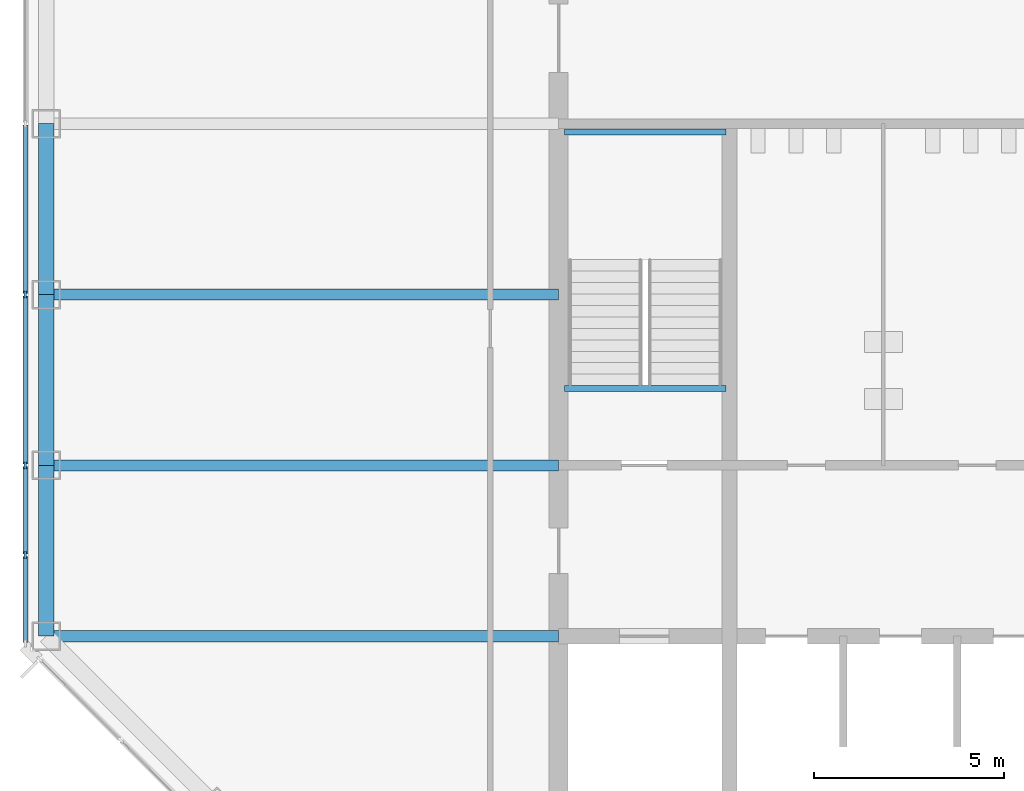
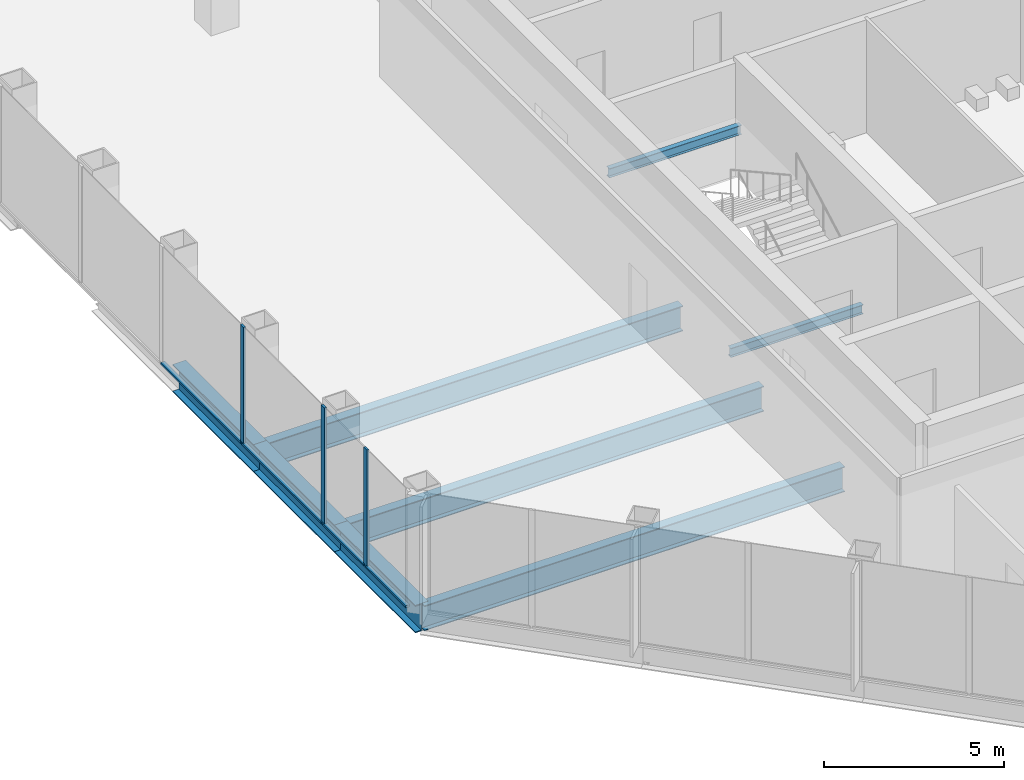
# One storey, part 3 of 12: 8 beams, 7 members, 1 element without a shape of its own.
"""IFC4 building model written with IfcOpenShell, lengths in metres."""

from ifc_helpers import new_model, si_unit, direction, frame, origin, origin_2d, place, context, subcontext, project, spatial, rectangle, i_section, extrude, material, material_profile, profile_set, type_object, element, aggregate, save


model = new_model("IFC4")

# Units and contexts
model_context = context("Model", 3, precision=1e-05, world=origin(), true_north=direction((0.0, 1.0)))
body_context = subcontext(model_context, "Body", "Model", "MODEL_VIEW")
ifc_project = project(units=[si_unit("LENGTHUNIT", "METRE"), si_unit("AREAUNIT", "SQUARE_METRE"), si_unit("VOLUMEUNIT", "CUBIC_METRE"), si_unit("PLANEANGLEUNIT", "RADIAN"), si_unit("MASSUNIT", "GRAM", prefix="KILO")], contexts=[model_context])

# Site, building, storey
site_placement = place(None, origin())
site = spatial("IfcSite", under=ifc_project, at=site_placement, CompositionType="ELEMENT")
building_placement = place(site_placement, origin())
building = spatial("IfcBuilding", under=site, at=building_placement, Name="Corais Broadcast Tower", CompositionType="ELEMENT")
storey_placement = place(building_placement, frame((0.0, 0.0, 187.60009765625)))
storey = spatial("IfcBuildingStorey", under=building, at=storey_placement, Name="L43", CompositionType="ELEMENT", Elevation=187.60009765625)

# Beams
ifc_material_1 = material(Name="Steel ASTM A572 Grade 50", Category="steel")
ifc_material_profile_1 = material_profile(ifc_material_1, i_section(OverallWidth=0.2939453125, OverallDepth=0.85107421875, WebThickness=0.01611328125, FlangeThickness=0.02685546875, at=origin_2d()), Name="W840x226")
ifc_profile_set_1 = profile_set([ifc_material_profile_1], Name="Steel ASTM A572 Grade 50")
beam_type_1 = type_object("IfcBeamType", Name="Floor beam W840x226", PredefinedType="BEAM", material=ifc_profile_set_1)
for number, where, z_axis, x_axis, name in (
    (1, (0.0, 18.0, -0.585693359375), (1.0, 0.0, 0.0), (0.0, 1.0, 0.0), "B1 E/3 to E/6"),
    (2, (0.0, 22.5, -0.585693359375), (1.0, 0.0, 0.0), (0.0, 1.0, 0.0), "B1 F/3 to F/6"),
    (3, (0.0, 27.0, -0.585693359375), (1.0, 0.0, 0.0), (0.0, 1.0, 0.0), "B1 G/3 to G/6"),
):
    element("IfcBeam", number, at=place(storey_placement, frame(where, z_axis=z_axis, x_axis=x_axis)), inside=storey, type_object=beam_type_1, Name=name, PredefinedType="BEAM", context=body_context, shape_type="SweptSolid", body=[
        extrude(i_section(OverallWidth=0.2939453125, OverallDepth=0.85107421875, WebThickness=0.01611328125, FlangeThickness=0.02685546875, at=origin_2d()), origin(), (0.0, 0.0, 1.0), 13.5),
    ])
ifc_material_2 = material(Name="Steel ASTM A572 Grade 50", Category="steel")
ifc_material_profile_2 = material_profile(ifc_material_2, i_section(OverallWidth=0.1650390625, OverallDepth=0.31005859375, WebThickness=0.005859375, FlangeThickness=0.009765625, at=origin_2d()), Name="W310x38.7")
ifc_profile_set_2 = profile_set([ifc_material_profile_2], Name="Steel ASTM A572 Grade 50")
beam_type_2 = type_object("IfcBeamType", Name="Landing trimmer W310x38.7", PredefinedType="BEAM", material=ifc_profile_set_2)
for number, where, z_axis, x_axis, name in (
    (4, (13.64990234375, 24.52490234375, -0.35498046875), (1.0, 0.0, 0.0), (0.0, 1.0, 0.0), "LT1 stair A landing trimmer L43"),
    (5, (13.64990234375, 31.284912109375, 1.64501953125), (1.0, 0.0, 0.0), (0.0, 1.0, 0.0), "LT1 stair A half landing trimmer L43"),
):
    element("IfcBeam", number, at=place(storey_placement, frame(where, z_axis=z_axis, x_axis=x_axis)), inside=storey, type_object=beam_type_2, Name=name, PredefinedType="BEAM", context=body_context, shape_type="SweptSolid", body=[
        extrude(i_section(OverallWidth=0.1650390625, OverallDepth=0.31005859375, WebThickness=0.005859375, FlangeThickness=0.009765625, at=origin_2d()), origin(), (0.0, 0.0, 1.0), 4.25),
    ])

# Curtain wall, members
ifc_material_3 = material(Name="Aluminium and glass", Category="aluminium")
curtain_wall_type = type_object("IfcCurtainWallType", Name="Unitised fritted curtain wall CW2", PredefinedType="NOTDEFINED", material=ifc_material_3)
curtain_wall_placement = place(storey_placement, origin())
curtain_wall = element("IfcCurtainWall", 6, at=curtain_wall_placement, inside=storey, type_object=curtain_wall_type, Name="CW2 curtain wall L43 2", PredefinedType="NOTDEFINED")
ifc_material_4 = material(Name="Aluminium 6063-T6", Category="aluminium")
ifc_material_profile_3 = material_profile(ifc_material_4, rectangle(XDim=0.06494140625, YDim=0.179931640625, at=origin_2d()), Name="Mullion CW2 65x180")
ifc_profile_set_3 = profile_set([ifc_material_profile_3], Name="Aluminium 6063-T6")
member_type_1 = type_object("IfcMemberType", Name="Mullion CW2 65x180", PredefinedType="MULLION", material=ifc_profile_set_3)
member_1_placement = place(storey_placement, frame((-0.550048828125, 20.135986328125, 0.0), z_axis=(0.0, 0.0, 1.0), x_axis=(-1.0, 0.0, 0.0)))
member_1 = element("IfcMember", 7, at=member_1_placement, type_object=member_type_1, Name="CW2 mullion 2", PredefinedType="MULLION", context=body_context, shape_type="SweptSolid", body=[
    extrude(rectangle(XDim=0.06494140625, YDim=0.179931640625, at=origin_2d()), origin(), (0.0, 0.0, 1.0), 4.0),
])
member_2_placement = place(storey_placement, frame((-0.550048828125, 22.5, 0.0), z_axis=(0.0, 0.0, 1.0), x_axis=(-1.0, 0.0, 0.0)))
member_2 = element("IfcMember", 8, at=member_2_placement, type_object=member_type_1, Name="CW2 mullion 3", PredefinedType="MULLION", context=body_context, shape_type="SweptSolid", body=[
    extrude(rectangle(XDim=0.06494140625, YDim=0.179931640625, at=origin_2d()), origin(), (0.0, 0.0, 1.0), 4.0),
])
member_3_placement = place(storey_placement, frame((-0.550048828125, 27.0, 0.0), z_axis=(0.0, 0.0, 1.0), x_axis=(-1.0, 0.0, 0.0)))
member_3 = element("IfcMember", 9, at=member_3_placement, type_object=member_type_1, Name="CW2 mullion 4", PredefinedType="MULLION", context=body_context, shape_type="SweptSolid", body=[
    extrude(rectangle(XDim=0.06494140625, YDim=0.179931640625, at=origin_2d()), origin(), (0.0, 0.0, 1.0), 4.0),
])

# Beams
ifc_material_5 = material(Name="Steel ASTM A572 Grade 50", Category="steel")
ifc_material_profile_4 = material_profile(ifc_material_5, i_section(OverallWidth=0.4189453125, OverallDepth=0.94189453125, WebThickness=0.022216796875, FlangeThickness=0.03662109375, at=origin_2d()), Name="W920x345")
ifc_profile_set_4 = profile_set([ifc_material_profile_4], Name="Steel ASTM A572 Grade 50")
beam_type_3 = type_object("IfcBeamType", Name="Transfer spandrel W920x345", PredefinedType="BEAM", material=ifc_profile_set_4)
for number, where, z_axis, x_axis, name in (
    (10, (0.0, 22.5, -0.631103515625), (0.0, -1.0, 0.0), (1.0, 0.0, 0.0), "SB4 F/3 to E/3"),
    (11, (0.0, 27.0, -0.631103515625), (0.0, -1.0, 0.0), (1.0, 0.0, 0.0), "SB4 G/3 to F/3"),
    (12, (0.0, 31.5, -0.631103515625), (0.0, -1.0, 0.0), (1.0, 0.0, 0.0), "SB4 H/3 to G/3"),
):
    element("IfcBeam", number, at=place(storey_placement, frame(where, z_axis=z_axis, x_axis=x_axis)), inside=storey, type_object=beam_type_3, Name=name, PredefinedType="BEAM", context=body_context, shape_type="SweptSolid", body=[
        extrude(i_section(OverallWidth=0.4189453125, OverallDepth=0.94189453125, WebThickness=0.022216796875, FlangeThickness=0.03662109375, at=origin_2d()), origin(), (0.0, 0.0, 1.0), 4.5),
    ])

# Member
ifc_material_6 = material(Name="Aluminium 6063-T6", Category="aluminium")
ifc_material_profile_5 = material_profile(ifc_material_6, rectangle(XDim=0.1298828125, YDim=0.06494140625, at=origin_2d()), Name="Transom CW2 65x130")
ifc_profile_set_5 = profile_set([ifc_material_profile_5], Name="Aluminium 6063-T6")
member_type_2 = type_object("IfcMemberType", Name="Transom CW2 65x130", PredefinedType="USERDEFINED", material=ifc_profile_set_5)
member_4_placement = place(storey_placement, frame((-0.550048828125, 17.837158203125, 0.032470703125), z_axis=(0.0, 1.0, 0.0), x_axis=(-1.0, 0.0, 0.0)))
member_4 = element("IfcMember", 13, at=member_4_placement, type_object=member_type_2, Name="CW2 transom 1.1", ObjectType="TRANSOM", PredefinedType="USERDEFINED", context=body_context, shape_type="SweptSolid", body=[
    extrude(rectangle(XDim=0.1298828125, YDim=0.06494140625, at=origin_2d()), origin(), (0.0, 0.0, 1.0), 2.266357421875),
])

member_5_placement = place(storey_placement, frame((-0.550048828125, 20.168701171875, 0.032470703125), z_axis=(0.0, 1.0, 0.0), x_axis=(-1.0, 0.0, 0.0)))
member_5 = element("IfcMember", 14, at=member_5_placement, type_object=member_type_2, Name="CW2 transom 2.1", ObjectType="TRANSOM", PredefinedType="USERDEFINED", context=body_context, shape_type="SweptSolid", body=[
    extrude(rectangle(XDim=0.1298828125, YDim=0.06494140625, at=origin_2d()), origin(), (0.0, 0.0, 1.0), 2.298828125),
])

member_6_placement = place(storey_placement, frame((-0.550048828125, 22.532470703125, 0.032470703125), z_axis=(0.0, 1.0, 0.0), x_axis=(-1.0, 0.0, 0.0)))
member_6 = element("IfcMember", 15, at=member_6_placement, type_object=member_type_2, Name="CW2 transom 3.1", ObjectType="TRANSOM", PredefinedType="USERDEFINED", context=body_context, shape_type="SweptSolid", body=[
    extrude(rectangle(XDim=0.1298828125, YDim=0.06494140625, at=origin_2d()), origin(), (0.0, 0.0, 1.0), 4.43505859375),
])

member_7_placement = place(storey_placement, frame((-0.550048828125, 27.032470703125, 0.032470703125), z_axis=(0.0, 1.0, 0.0), x_axis=(-1.0, 0.0, 0.0)))
member_7 = element("IfcMember", 16, at=member_7_placement, type_object=member_type_2, Name="CW2 transom 4.1", ObjectType="TRANSOM", PredefinedType="USERDEFINED", context=body_context, shape_type="SweptSolid", body=[
    extrude(rectangle(XDim=0.1298828125, YDim=0.06494140625, at=origin_2d()), origin(), (0.0, 0.0, 1.0), 4.43505859375),
])

aggregate(curtain_wall, [member_1, member_2, member_3, member_4, member_5, member_6, member_7])

save(model, "model.ifc")
